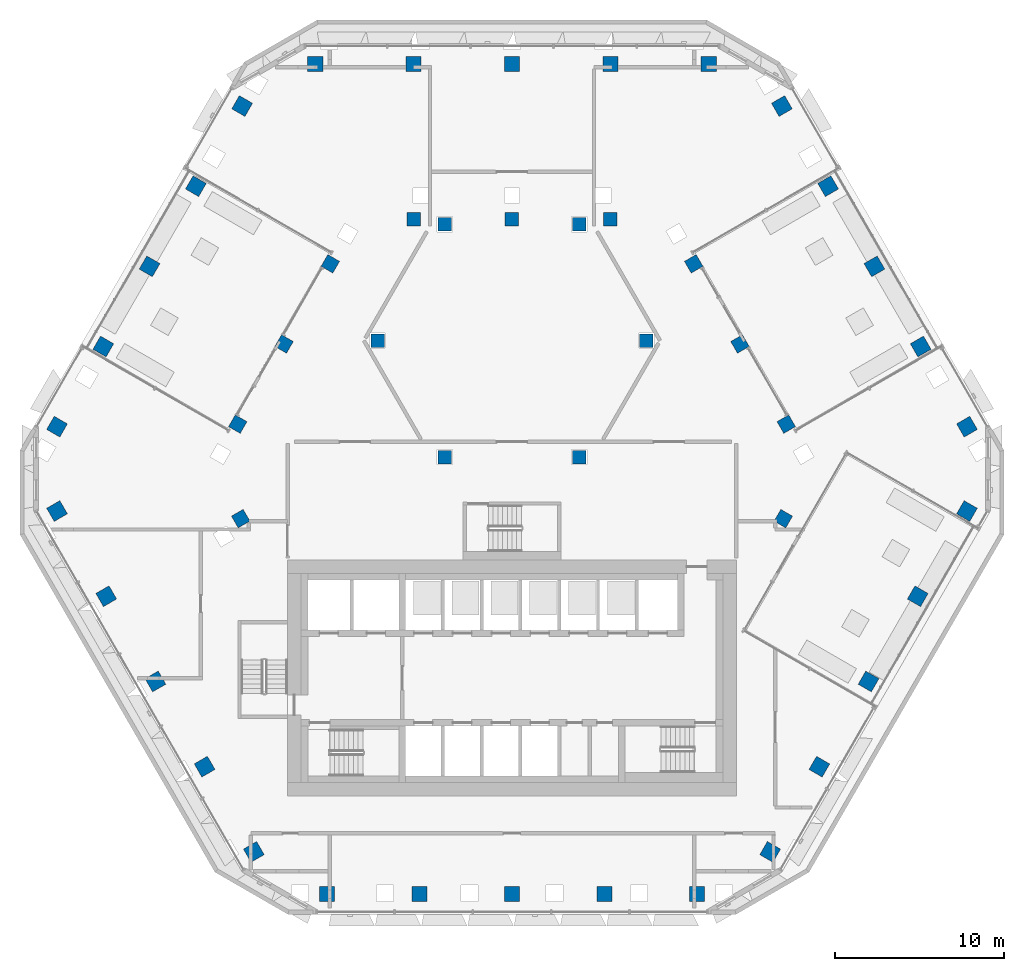
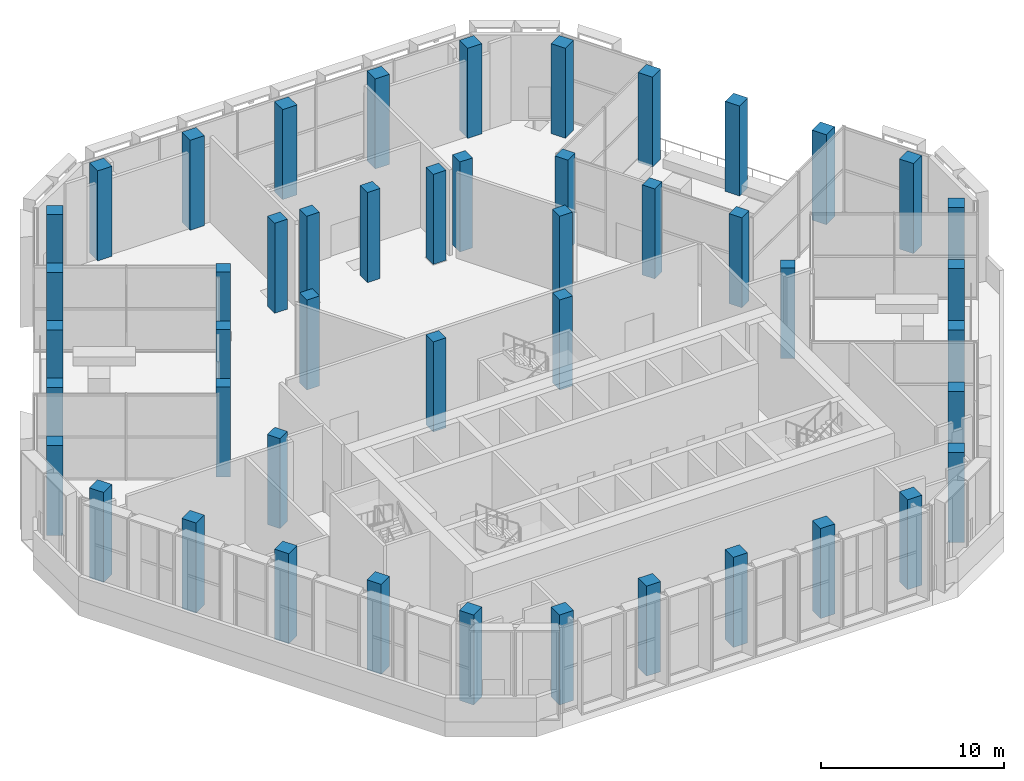
# One storey, part 1 of 27: 47 columns.
"""IFC4 building model written with IfcOpenShell, lengths in metres."""

from ifc_helpers import new_model, si_unit, direction, frame, origin, origin_2d, place, context, subcontext, project, spatial, rectangle, extrude, material, material_profile, profile_set, type_object, element, save


model = new_model("IFC4")

# Units and contexts
model_context = context("Model", 3, precision=1e-05, world=origin(), true_north=direction((0.0, 1.0)))
body_context = subcontext(model_context, "Body", "Model", "MODEL_VIEW")
ifc_project = project(units=[si_unit("LENGTHUNIT", "METRE"), si_unit("AREAUNIT", "SQUARE_METRE"), si_unit("VOLUMEUNIT", "CUBIC_METRE"), si_unit("PLANEANGLEUNIT", "RADIAN"), si_unit("MASSUNIT", "GRAM", prefix="KILO")], contexts=[model_context])

# Site, building, storey
site_placement = place(None, origin())
site = spatial("IfcSite", under=ifc_project, at=site_placement, CompositionType="ELEMENT")
building_placement = place(site_placement, origin())
building = spatial("IfcBuilding", under=site, at=building_placement, Name="Beryl Residences", CompositionType="ELEMENT")
storey_placement = place(building_placement, frame((0.0, 0.0, 111.60009765625)))
storey = spatial("IfcBuildingStorey", under=building, at=storey_placement, Name="L34", CompositionType="ELEMENT", Elevation=111.60009765625)

# Columns
ifc_material_1 = material(Name="Concrete C60/75", Category="concrete")
ifc_material_profile_1 = material_profile(ifc_material_1, rectangle(XDim=0.89990234375, YDim=0.89990234375, at=origin_2d()))
ifc_profile_set_1 = profile_set([ifc_material_profile_1], Name="Concrete C60/75")
column_type_1 = type_object("IfcColumnType", Name="C3 tube column 900 x 900 C60/75", PredefinedType="COLUMN", material=ifc_profile_set_1)
for number, where, z_axis, x_axis, name in (
    (1, (11.662109375, 24.39990234375, 0.0), (0.0, 0.0, 1.0), (-1.0, 0.0, 0.0), "C3-N1 L34"),
    (2, (5.8310546875, 24.39990234375, 0.0), (0.0, 0.0, 1.0), (-1.0, 0.0, 0.0), "C3-N2 L34"),
    (3, (0.0, 24.39990234375, 0.0), (0.0, 0.0, 1.0), (-1.0, 0.0, 0.0), "C3-N3 L34"),
    (4, (-5.8310546875, 24.39990234375, 0.0), (0.0, 0.0, 1.0), (-1.0, 0.0, 0.0), "C3-N4 L34"),
    (5, (-11.662109375, 24.39990234375, 0.0), (0.0, 0.0, 1.0), (-1.0, 0.0, 0.0), "C3-N5 L34"),
    (6, (-15.992919921875, 21.89990234375, 0.0), (0.0, 0.0, 1.0), (-0.5, -0.866025403784, 0.0), "C3-NW1 L34"),
    (7, (-18.735107421875, 17.14990234375, 0.0), (0.0, 0.0, 1.0), (-0.5, -0.866025403784, 0.0), "C3-NW2 L34"),
    (8, (-21.47802734375, 12.39990234375, 0.0), (0.0, 0.0, 1.0), (-0.5, -0.866025403784, 0.0), "C3-NW3 L34"),
    (9, (-24.219970703125, 7.64990234375, 0.0), (0.0, 0.0, 1.0), (-0.5, -0.866025403784, 0.0), "C3-NW4 L34"),
    (10, (-26.962890625, 2.89990234375, 0.0), (0.0, 0.0, 1.0), (-0.5, -0.866025403784, 0.0), "C3-NW5 L34"),
    (11, (-26.9619140625, -2.10009765625, 0.0), (0.0, 0.0, 1.0), (0.5, -0.866025403784, 0.0), "C3-SW1 L34"),
    (12, (-24.047119140625, -7.14892578125, 0.0), (0.0, 0.0, 1.0), (0.5, -0.866025403784, 0.0), "C3-SW2 L34"),
    (13, (-21.131103515625, -12.198974609375, 0.0), (0.0, 0.0, 1.0), (0.5, -0.866025403784, 0.0), "C3-SW3 L34"),
    (14, (-18.216064453125, -17.2490234375, 0.0), (0.0, 0.0, 1.0), (0.5, -0.866025403784, 0.0), "C3-SW4 L34"),
    (15, (-15.300048828125, -22.299072265625, 0.0), (0.0, 0.0, 1.0), (0.5, -0.866025403784, 0.0), "C3-SW5 L34"),
    (16, (-10.968994140625, -24.800048828125, 0.0), (0.0, 0.0, 1.0), (1.0, 0.0, 0.0), "C3-S1 L34"),
    (17, (-5.48388671875, -24.800048828125, 0.0), (0.0, 0.0, 1.0), (1.0, 0.0, 0.0), "C3-S2 L34"),
    (18, (0.0009765625, -24.800048828125, 0.0), (0.0, 0.0, 1.0), (1.0, 0.0, 0.0), "C3-S3 L34"),
    (19, (5.486083984375, -24.800048828125, 0.0), (0.0, 0.0, 1.0), (1.0, 0.0, 0.0), "C3-S4 L34"),
    (20, (10.970947265625, -24.800048828125, 0.0), (0.0, 0.0, 1.0), (1.0, 0.0, 0.0), "C3-S5 L34"),
    (21, (15.299072265625, -22.300048828125, 0.0), (0.0, 0.0, 1.0), (0.5, 0.866025403784, 0.0), "C3-SE1 L34"),
    (22, (18.215087890625, -17.2509765625, 0.0), (0.0, 0.0, 1.0), (0.5, 0.866025403784, 0.0), "C3-SE2 L34"),
    (23, (21.1298828125, -12.200927734375, 0.0), (0.0, 0.0, 1.0), (0.5, 0.866025403784, 0.0), "C3-SE3 L34"),
    (24, (24.0458984375, -7.15087890625, 0.0), (0.0, 0.0, 1.0), (0.5, 0.866025403784, 0.0), "C3-SE4 L34"),
    (25, (26.9609375, -2.10107421875, 0.0), (0.0, 0.0, 1.0), (0.5, 0.866025403784, 0.0), "C3-SE5 L34"),
    (26, (26.962890625, 2.89990234375, 0.0), (0.0, 0.0, 1.0), (-0.5, 0.866025403784, 0.0), "C3-NE1 L34"),
    (27, (24.219970703125, 7.64990234375, 0.0), (0.0, 0.0, 1.0), (-0.5, 0.866025403784, 0.0), "C3-NE2 L34"),
    (28, (21.47802734375, 12.39990234375, 0.0), (0.0, 0.0, 1.0), (-0.5, 0.866025403784, 0.0), "C3-NE3 L34"),
    (29, (18.735107421875, 17.14990234375, 0.0), (0.0, 0.0, 1.0), (-0.5, 0.866025403784, 0.0), "C3-NE4 L34"),
    (30, (15.992919921875, 21.89990234375, 0.0), (0.0, 0.0, 1.0), (-0.5, 0.866025403784, 0.0), "C3-NE5 L34"),
):
    element("IfcColumn", number, at=place(storey_placement, frame(where, z_axis=z_axis, x_axis=x_axis)), inside=storey, type_object=column_type_1, Name=name, PredefinedType="COLUMN", context=body_context, shape_type="SweptSolid", body=[
        extrude(rectangle(XDim=0.89990234375, YDim=0.89990234375, at=origin_2d()), origin(), (0.0, 0.0, 1.0), 6.0),
    ])
ifc_material_2 = material(Name="Concrete C60/75", Category="concrete")
ifc_material_profile_2 = material_profile(ifc_material_2, rectangle(XDim=0.800048828125, YDim=0.800048828125, at=origin_2d()))
ifc_profile_set_2 = profile_set([ifc_material_profile_2], Name="Concrete C60/75")
column_type_2 = type_object("IfcColumnType", Name="IC3 interior column 800 x 800 C60/75", PredefinedType="COLUMN", material=ifc_profile_set_2)
for number, where, z_axis, x_axis, name in (
    (31, (-16.0791015625, -2.549072265625, 0.0), (0.0, 0.0, 1.0), (0.5, -0.866025403784, 0.0), "IC3-M01 L34"),
    (32, (16.077880859375, -2.551025390625, 0.0), (0.0, 0.0, 1.0), (0.5, 0.866025403784, 0.0), "IC3-M02 L34"),
    (33, (16.2529296875, 3.050048828125, 0.0), (0.0, 0.0, 1.0), (-0.5, 0.866025403784, 0.0), "IC3-M03 L34"),
    (34, (3.98388671875, 1.10009765625, 0.0), (0.0, 0.0, 1.0), (1.0, 0.0, 0.0), "IC3-A04 L34"),
    (35, (13.510009765625, 7.800048828125, 0.0), (0.0, 0.0, 1.0), (-0.5, 0.866025403784, 0.0), "IC3-M05 L34"),
    (36, (7.967041015625, 8.0, 0.0), (0.0, 0.0, 1.0), (1.0, 0.0, 0.0), "IC3-A06 L34"),
    (37, (10.76806640625, 12.550048828125, 0.0), (0.0, 0.0, 1.0), (-0.5, 0.866025403784, 0.0), "IC3-M07 L34"),
    (38, (5.8310546875, 15.199951171875, 0.0), (0.0, 0.0, 1.0), (-1.0, 0.0, 0.0), "IC3-M08 L34"),
    (39, (3.98388671875, 14.89990234375, 0.0), (0.0, 0.0, 1.0), (1.0, 0.0, 0.0), "IC3-A09 L34"),
    (40, (0.0, 15.199951171875, 0.0), (0.0, 0.0, 1.0), (-1.0, 0.0, 0.0), "IC3-M10 L34"),
    (41, (-3.98388671875, 14.89990234375, 0.0), (0.0, 0.0, 1.0), (1.0, 0.0, 0.0), "IC3-A11 L34"),
    (42, (-5.8310546875, 15.199951171875, 0.0), (0.0, 0.0, 1.0), (-1.0, 0.0, 0.0), "IC3-M12 L34"),
    (43, (-10.76806640625, 12.550048828125, 0.0), (0.0, 0.0, 1.0), (-0.5, -0.866025403784, 0.0), "IC3-M13 L34"),
    (44, (-7.967041015625, 8.0, 0.0), (0.0, 0.0, 1.0), (1.0, 0.0, 0.0), "IC3-A14 L34"),
    (45, (-13.510009765625, 7.800048828125, 0.0), (0.0, 0.0, 1.0), (-0.5, -0.866025403784, 0.0), "IC3-M15 L34"),
    (46, (-3.98388671875, 1.10009765625, 0.0), (0.0, 0.0, 1.0), (1.0, 0.0, 0.0), "IC3-A16 L34"),
    (47, (-16.2529296875, 3.050048828125, 0.0), (0.0, 0.0, 1.0), (-0.5, -0.866025403784, 0.0), "IC3-M17 L34"),
):
    element("IfcColumn", number, at=place(storey_placement, frame(where, z_axis=z_axis, x_axis=x_axis)), inside=storey, type_object=column_type_2, Name=name, PredefinedType="COLUMN", context=body_context, shape_type="SweptSolid", body=[
        extrude(rectangle(XDim=0.800048828125, YDim=0.800048828125, at=origin_2d()), origin(), (0.0, 0.0, 1.0), 6.0),
    ])

save(model, "model.ifc")
